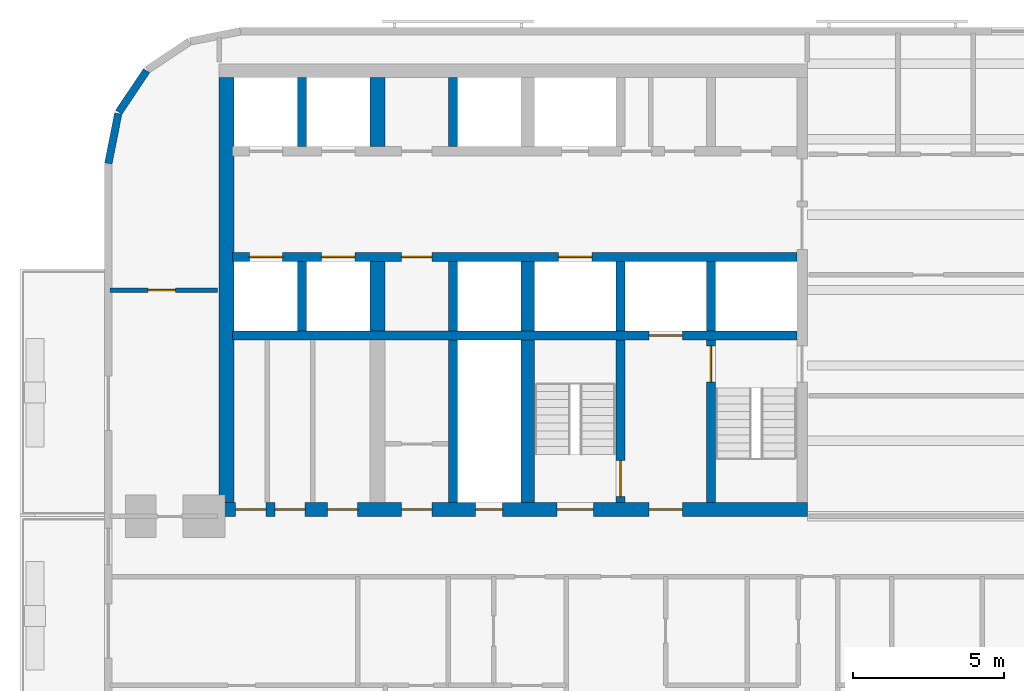
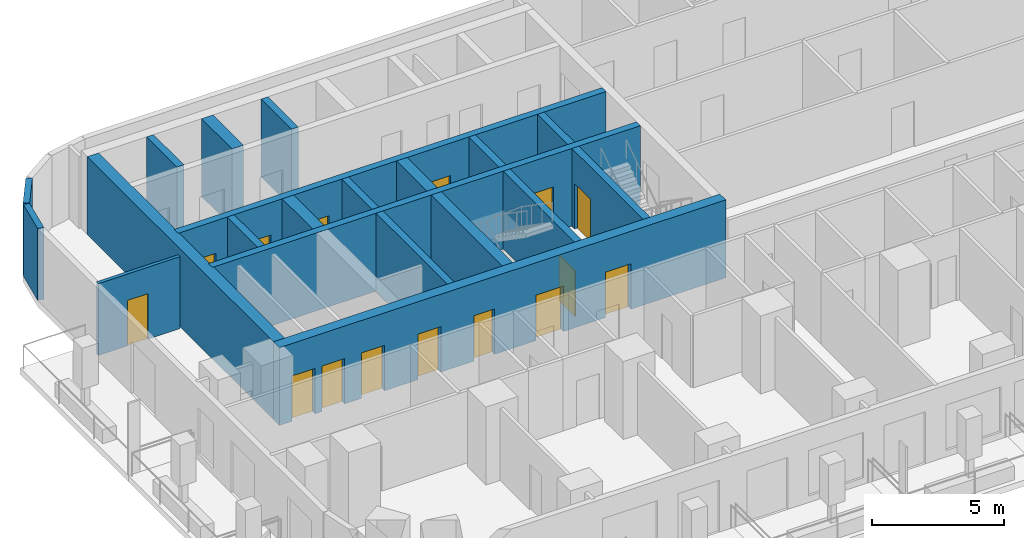
# One storey, part 3 of 15: 20 walls, 15 doors, 15 openings.
"""IFC4 building model written with IfcOpenShell, lengths in metres."""

import ifcopenshell
import ifcopenshell.guid

model = None  # the IFC model being written
_history = None  # IfcOwnerHistory: only IFC2X3 demands one
_inside = {}  # id of a spatial element -> (the spatial element, [elements in it])
_under = {}  # id of a project, library or spatial element -> (it, [spatial elements below it])
_declared = {}  # id of a project -> (the project, [libraries it declares])
_typed = {}  # id of a type object -> (the type object, [elements of that type])
_made_of = {}  # id of a material, layer set ... -> (it, [elements and type objects made of it])


def new_model(schema):
    """Start an empty IFC model of exactly this schema.

    Asked for "IFC4X3", IfcOpenShell would pick the latest addendum, in which some entities
    have other attributes; the version numbers below select the first issue.
    IFC2X3 requires an IfcOwnerHistory on every rooted entity: one is made here for all.
    """
    global model, _history
    if schema == "IFC4X3":
        model = ifcopenshell.file(schema_version=(4, 3, 0, 0))
    else:
        model = ifcopenshell.file(schema=schema)
    _inside.clear()
    _under.clear()
    _declared.clear()
    _typed.clear()
    _made_of.clear()
    _history = None
    if model.schema == "IFC2X3":
        org = make("IfcOrganization", Name="unknown")
        user = make(
            "IfcPersonAndOrganization",
            ThePerson=make("IfcPerson", FamilyName="unknown"),
            TheOrganization=org,
        )
        app = make(
            "IfcApplication",
            ApplicationDeveloper=org,
            Version="unknown",
            ApplicationFullName="unknown",
            ApplicationIdentifier="unknown",
        )
        _history = make(
            "IfcOwnerHistory",
            OwningUser=user,
            OwningApplication=app,
            ChangeAction="ADDED",
            CreationDate=0,
        )
    return model


def make(cls, **values):
    """One entity of the class cls with the attributes given. An attribute that is None is left unset."""
    return model.create_entity(
        cls, **{name: value for name, value in values.items() if value is not None}
    )


def rooted(cls, **values):
    """An entity with a GlobalId (a new one), such as an element, a storey or a relation."""
    return make(cls, GlobalId=ifcopenshell.guid.new(), OwnerHistory=_history, **values)


def si_unit(unit_type, name, prefix=None):
    """IfcSIUnit, for example si_unit("LENGTHUNIT", "METRE", prefix="MILLI")."""
    return make("IfcSIUnit", UnitType=unit_type, Prefix=prefix, Name=name)


def assignment(units):
    """IfcUnitAssignment: the units of a project."""
    return None if units is None else make("IfcUnitAssignment", Units=units)


def point(xyz):
    """IfcCartesianPoint."""
    return None if xyz is None else make("IfcCartesianPoint", Coordinates=xyz)


def direction(xyz):
    """IfcDirection."""
    return None if xyz is None else make("IfcDirection", DirectionRatios=xyz)


def frame(location, z_axis=None, x_axis=None):
    """IfcAxis2Placement3D, a coordinate frame: its origin and axes. An axis left out is left unset."""
    return make(
        "IfcAxis2Placement3D",
        Location=point(location),
        Axis=direction(z_axis),
        RefDirection=direction(x_axis),
    )


def frame_2d(location, x_axis=None):
    """IfcAxis2Placement2D, a coordinate frame in the plane: its origin and x axis."""
    return make(
        "IfcAxis2Placement2D", Location=point(location), RefDirection=direction(x_axis)
    )


def origin():
    """The frame at (0, 0, 0) with its axes left unset."""
    return frame((0.0, 0.0, 0.0))


def place(relative_to, where):
    """IfcLocalPlacement: puts the frame where relative to a parent placement (None: the world)."""
    return make(
        "IfcLocalPlacement", PlacementRelTo=relative_to, RelativePlacement=where
    )


def context(
    kind, dimensions, precision=None, world=None, true_north=None, identifier=None
):
    """IfcGeometricRepresentationContext, for example the 3D "Model" context."""
    return make(
        "IfcGeometricRepresentationContext",
        ContextIdentifier=identifier,
        ContextType=kind,
        CoordinateSpaceDimension=dimensions,
        Precision=precision,
        WorldCoordinateSystem=world,
        TrueNorth=true_north,
    )


def subcontext(parent, identifier, kind, view, scale=None):
    """IfcGeometricRepresentationSubContext, for example "Body" below "Model"."""
    return make(
        "IfcGeometricRepresentationSubContext",
        ContextIdentifier=identifier,
        ContextType=kind,
        ParentContext=parent,
        TargetScale=scale,
        TargetView=view,
    )


def project(units=None, contexts=None):
    """IfcProject with its units and contexts."""
    return rooted(
        "IfcProject",
        Name="project",
        RepresentationContexts=contexts,
        UnitsInContext=assignment(units),
    )


def spatial(cls, under=None, at=None, **own):
    """A site, building, storey or space (cls), placed at a placement, below another one or the project."""
    s = rooted(cls, ObjectPlacement=at, **own)
    if under is not None:
        _under.setdefault(under.id(), (under, []))[1].append(s)
    return s


def profile(cls, at=None, kind="AREA", **sizes):
    """A parametric profile (cls). Its sizes go by their IFC names, for example OverallWidth=200.0."""
    return make(cls, ProfileType=kind, Position=at, **sizes)


def rectangle(**sizes):
    """IfcRectangleProfileDef."""
    return profile("IfcRectangleProfileDef", **sizes)


def extrude(swept, where, along, depth):
    """IfcExtrudedAreaSolid: the profile swept, set in the frame where, extruded along a direction by depth."""
    return make(
        "IfcExtrudedAreaSolid",
        SweptArea=swept,
        Position=where,
        ExtrudedDirection=direction(along),
        Depth=depth,
    )


def shape(context_of_items, identifier, shape_type, items):
    """IfcShapeRepresentation: the items that make up one representation, for example the "Body"."""
    return make(
        "IfcShapeRepresentation",
        ContextOfItems=context_of_items,
        RepresentationIdentifier=identifier,
        RepresentationType=shape_type,
        Items=items,
    )


def material(Name=None, Category=None):
    """IfcMaterial."""
    return make("IfcMaterial", Name=Name, Category=Category)


def layer(
    of_material, thickness, ventilated=None, Name=None, Category=None, Priority=None
):
    """IfcMaterialLayer: one layer of a wall or slab, of a material (None: an air gap)."""
    return make(
        "IfcMaterialLayer",
        Material=of_material,
        LayerThickness=thickness,
        IsVentilated=ventilated,
        Name=Name,
        Category=Category,
        Priority=Priority,
    )


def layer_set(layers, Name=None):
    """IfcMaterialLayerSet."""
    return make("IfcMaterialLayerSet", MaterialLayers=layers, LayerSetName=Name)


def made_of(thing, what):
    """Note that an element or type object is made of a material, layer set ...; save() writes the relation."""
    if what is not None:
        _made_of.setdefault(what.id(), (what, []))[1].append(thing)
    return thing


def type_object(cls, material=None, **own):
    """A type object (cls), such as IfcWallType, which elements share."""
    return made_of(rooted(cls, **own), material)


def element(
    cls,
    number,
    at=None,
    inside=None,
    cuts=None,
    type_object=None,
    material=None,
    context=None,
    identifier="Body",
    shape_type=None,
    held_by="IfcProductDefinitionShape",
    body=None,
    shapes=None,
    **own,
):
    """One element of the class cls, such as IfcWall. Its Tag is "e" and its number.

    at: its placement. inside: the storey or other place that contains it. cuts: it is an
    opening in that element (IfcRelVoidsElement). A single representation is given by context,
    identifier, shape_type and body (its items); several are given by shapes. held_by: the class
    of the entity that holds the representations. save() writes the other relations.
    """
    e = rooted(cls, Tag="e%d" % number, ObjectPlacement=at, **own)
    if body is not None:
        shapes = [shape(context, identifier, shape_type, body)]
    if shapes is not None:
        e.Representation = make(held_by, Representations=shapes)
    if inside is not None:
        _inside.setdefault(inside.id(), (inside, []))[1].append(e)
    if cuts is not None:
        rooted(
            "IfcRelVoidsElement", RelatingBuildingElement=cuts, RelatedOpeningElement=e
        )
    if type_object is not None:
        _typed.setdefault(type_object.id(), (type_object, []))[1].append(e)
    return made_of(e, material)


def fill(opening, filler):
    """IfcRelFillsElement: the door or window that sits in an opening."""
    return rooted(
        "IfcRelFillsElement",
        RelatingOpeningElement=opening,
        RelatedBuildingElement=filler,
    )


def aggregate(whole, parts):
    """IfcRelAggregates: a whole, such as a stair, and the parts it consists of."""
    return rooted("IfcRelAggregates", RelatingObject=whole, RelatedObjects=parts)


def save(model, path):
    """Write the relations noted so far, then the file.

    IfcRelAggregates (storeys below a building ...), IfcRelContainedInSpatialStructure (elements
    in a storey), IfcRelDefinesByType, IfcRelAssociatesMaterial and IfcRelDeclares: one each for
    every whole, place, type object, material and project.
    """
    for whole, parts in _under.values():
        aggregate(whole, parts)
    for where, things in _inside.values():
        rooted(
            "IfcRelContainedInSpatialStructure",
            RelatedElements=things,
            RelatingStructure=where,
        )
    for kind, things in _typed.values():
        rooted("IfcRelDefinesByType", RelatedObjects=things, RelatingType=kind)
    for what, things in _made_of.values():
        rooted("IfcRelAssociatesMaterial", RelatedObjects=things, RelatingMaterial=what)
    for by, libraries in _declared.values():
        rooted("IfcRelDeclares", RelatingContext=by, RelatedDefinitions=libraries)
    model.write(path)


model = new_model("IFC4")

# Units and contexts
model_context = context("Model", 3, precision=1e-05, world=origin(), true_north=direction((0.0, 1.0)))
body_context = subcontext(model_context, "Body", "Model", "MODEL_VIEW")
ifc_project = project(units=[si_unit("LENGTHUNIT", "METRE"), si_unit("AREAUNIT", "SQUARE_METRE"), si_unit("VOLUMEUNIT", "CUBIC_METRE"), si_unit("PLANEANGLEUNIT", "RADIAN"), si_unit("MASSUNIT", "GRAM", prefix="KILO")], contexts=[model_context])

# Site, building, storey
site_placement = place(None, origin())
site = spatial("IfcSite", under=ifc_project, at=site_placement, CompositionType="ELEMENT")
building_placement = place(site_placement, origin())
building = spatial("IfcBuilding", under=site, at=building_placement, Name="Torana Hotel and Residences", CompositionType="ELEMENT")
storey_placement = place(building_placement, frame((0.0, 0.0, 88.800048828125)))
storey = spatial("IfcBuildingStorey", under=building, at=storey_placement, Name="L22", CompositionType="ELEMENT", Elevation=88.800048828125)

# Wall, openings, doors
ifc_material_1 = material(Name="Concrete C80/95", Category="concrete")
ifc_layer_1 = layer(ifc_material_1, 0.300048828125)
ifc_layer_set_1 = layer_set([ifc_layer_1], Name="CORE WALL 300 C80/95")
wall_type_1 = type_object("IfcWallType", Name="CORE WALL 300 C80/95", PredefinedType="SHEAR", material=ifc_layer_set_1)
wall_1_placement = place(storey_placement, frame((-29.050048828125, -6.39990234375, 0.0), z_axis=(0.0, 0.0, 1.0), x_axis=(1.0, 0.0, 0.0)))
wall_1 = element("IfcWall", 1, at=wall_1_placement, inside=storey, type_object=wall_type_1, Name="Core wall W row-S", PredefinedType="SHEAR", context=body_context, shape_type="SweptSolid", body=[
    extrude(rectangle(XDim=18.699951171875, YDim=0.300048828125, at=frame_2d((9.35009765625, 0.0))), origin(), (0.0, 0.0, 1.0), 3.599853515625),
])
opening_1_placement = place(wall_1_placement, frame((2.949951171875, 0.0, 0.0)))
opening_1 = element("IfcOpeningElement", 2, at=opening_1_placement, cuts=wall_1, Name="Opening LD", PredefinedType="OPENING", context=body_context, shape_type="SweptSolid", body=[
    extrude(rectangle(XDim=1.10009765625, YDim=2.10009765625, at=frame_2d((0.550048828125, 1.050048828125))), frame((0.0, 0.159912109375, 0.0), z_axis=(0.0, -1.0, 0.0), x_axis=(1.0, 0.0, 0.0)), (0.0, 0.0, 1.0), 0.320068359375),
])
opening_2_placement = place(wall_1_placement, frame((0.550048828125, 0.0, 0.0)))
opening_2 = element("IfcOpeningElement", 3, at=opening_2_placement, cuts=wall_1, Name="Opening LD", PredefinedType="OPENING", context=body_context, shape_type="SweptSolid", body=[
    extrude(rectangle(XDim=1.10009765625, YDim=2.10009765625, at=frame_2d((0.550048828125, 1.050048828125))), frame((0.0, 0.159912109375, 0.0), z_axis=(0.0, -1.0, 0.0), x_axis=(1.0, 0.0, 0.0)), (0.0, 0.0, 1.0), 0.320068359375),
])
opening_3_placement = place(wall_1_placement, frame((10.800048828125, 0.0, 0.0)))
opening_3 = element("IfcOpeningElement", 4, at=opening_3_placement, cuts=wall_1, Name="Opening LD", PredefinedType="OPENING", context=body_context, shape_type="SweptSolid", body=[
    extrude(rectangle(XDim=1.10009765625, YDim=2.10009765625, at=frame_2d((0.550048828125, 1.050048828125))), frame((0.0, 0.159912109375, 0.0), z_axis=(0.0, -1.0, 0.0), x_axis=(1.0, 0.0, 0.0)), (0.0, 0.0, 1.0), 0.320068359375),
])
opening_4_placement = place(wall_1_placement, frame((5.60009765625, 0.0, 0.0)))
opening_4 = element("IfcOpeningElement", 5, at=opening_4_placement, cuts=wall_1, Name="Opening L22-16", PredefinedType="OPENING", context=body_context, shape_type="SweptSolid", body=[
    extrude(rectangle(XDim=1.0, YDim=2.10009765625, at=frame_2d((0.5, 1.050048828125))), frame((0.0, 0.159912109375, 0.0), z_axis=(0.0, -1.0, 0.0), x_axis=(1.0, 0.0, 0.0)), (0.0, 0.0, 1.0), 0.320068359375),
])
ifc_material_2 = material(Name="Steel S235", Category="steel")
door_type_1 = type_object("IfcDoorType", Name="CORE ROOM FIRE DOOR D14 1000x2100", OperationType="SINGLE_SWING_LEFT", PredefinedType="DOOR", material=ifc_material_2)
door_1_placement = place(opening_4_placement, frame((0.5, 0.0, 0.0), z_axis=(0.0, 0.0, 1.0), x_axis=(-1.0, 0.0, 0.0)))
door_1 = element("IfcDoor", 6, at=door_1_placement, inside=storey, type_object=door_type_1, Name="Free-M2 door L22", OperationType="SINGLE_SWING_LEFT", OverallHeight=2.10009765625, OverallWidth=1.0, PredefinedType="DOOR", context=body_context, shape_type="SweptSolid", body=[
    extrude(rectangle(XDim=1.0, YDim=2.10009765625, at=frame_2d((0.0, 1.050048828125))), frame((0.0, -0.02490234375, 0.0), z_axis=(0.0, 1.0, 0.0), x_axis=(-1.0, 0.0, 0.0)), (0.0, 0.0, 1.0), 0.050048828125),
])
fill(opening_4, door_1)
ifc_material_3 = material(Name="Stainless steel 316", Category="steel")
door_type_2 = type_object("IfcDoorType", Name="LIFT LANDING DOOR LD 1100x2100", OperationType="DOUBLE_DOOR_SLIDING", PredefinedType="USERDEFINED", material=ifc_material_3)
door_2_placement = place(opening_1_placement, origin())
door_2 = element("IfcDoor", 7, at=door_2_placement, inside=storey, type_object=door_type_2, Name="Lift landing door L3 L22", ObjectType="LIFT LANDING DOOR", OperationType="DOUBLE_DOOR_SLIDING", OverallHeight=2.10009765625, OverallWidth=1.10009765625, PredefinedType="USERDEFINED", context=body_context, shape_type="SweptSolid", body=[
    extrude(rectangle(XDim=1.10009765625, YDim=2.10009765625, at=frame_2d((0.550048828125, 1.050048828125))), frame((0.0, 0.02490234375, 0.0), z_axis=(0.0, -1.0, 0.0), x_axis=(1.0, 0.0, 0.0)), (0.0, 0.0, 1.0), 0.050048828125),
])
fill(opening_1, door_2)
door_3_placement = place(opening_2_placement, origin())
door_3 = element("IfcDoor", 8, at=door_3_placement, inside=storey, type_object=door_type_2, Name="Lift landing door L4 L22", ObjectType="LIFT LANDING DOOR", OperationType="DOUBLE_DOOR_SLIDING", OverallHeight=2.10009765625, OverallWidth=1.10009765625, PredefinedType="USERDEFINED", context=body_context, shape_type="SweptSolid", body=[
    extrude(rectangle(XDim=1.10009765625, YDim=2.10009765625, at=frame_2d((0.550048828125, 1.050048828125))), frame((0.0, 0.02490234375, 0.0), z_axis=(0.0, -1.0, 0.0), x_axis=(1.0, 0.0, 0.0)), (0.0, 0.0, 1.0), 0.050048828125),
])
fill(opening_2, door_3)
door_4_placement = place(opening_3_placement, origin())
door_4 = element("IfcDoor", 9, at=door_4_placement, inside=storey, type_object=door_type_2, Name="Lift landing door SV1 L22", ObjectType="LIFT LANDING DOOR", OperationType="DOUBLE_DOOR_SLIDING", OverallHeight=2.10009765625, OverallWidth=1.10009765625, PredefinedType="USERDEFINED", context=body_context, shape_type="SweptSolid", body=[
    extrude(rectangle(XDim=1.10009765625, YDim=2.10009765625, at=frame_2d((0.550048828125, 1.050048828125))), frame((0.0, 0.02490234375, 0.0), z_axis=(0.0, -1.0, 0.0), x_axis=(1.0, 0.0, 0.0)), (0.0, 0.0, 1.0), 0.050048828125),
])
fill(opening_3, door_4)

# Wall, opening, door
wall_2_placement = place(storey_placement, frame((-29.050048828125, -9.0, 0.0), z_axis=(0.0, 0.0, 1.0), x_axis=(1.0, 0.0, 0.0)))
wall_2 = element("IfcWall", 10, at=wall_2_placement, inside=storey, type_object=wall_type_1, Name="Core wall W band", PredefinedType="SHEAR", context=body_context, shape_type="SweptSolid", body=[
    extrude(rectangle(XDim=18.699951171875, YDim=0.300048828125, at=frame_2d((9.35009765625, 0.0))), origin(), (0.0, 0.0, 1.0), 3.599853515625),
])
opening_5_placement = place(wall_2_placement, frame((13.800048828125, 0.0, 0.0)))
opening_5 = element("IfcOpeningElement", 11, at=opening_5_placement, cuts=wall_2, Name="Opening LD", PredefinedType="OPENING", context=body_context, shape_type="SweptSolid", body=[
    extrude(rectangle(XDim=1.10009765625, YDim=2.10009765625, at=frame_2d((0.550048828125, 1.050048828125))), frame((0.0, 0.159912109375, 0.0), z_axis=(0.0, -1.0, 0.0), x_axis=(1.0, 0.0, 0.0)), (0.0, 0.0, 1.0), 0.320068359375),
])
door_5_placement = place(opening_5_placement, origin())
door_5 = element("IfcDoor", 12, at=door_5_placement, inside=storey, type_object=door_type_2, Name="Lift landing door FF1 L22", ObjectType="LIFT LANDING DOOR", OperationType="DOUBLE_DOOR_SLIDING", OverallHeight=2.10009765625, OverallWidth=1.10009765625, PredefinedType="USERDEFINED", context=body_context, shape_type="SweptSolid", body=[
    extrude(rectangle(XDim=1.10009765625, YDim=2.10009765625, at=frame_2d((0.550048828125, 1.050048828125))), frame((0.0, 0.02490234375, 0.0), z_axis=(0.0, -1.0, 0.0), x_axis=(1.0, 0.0, 0.0)), (0.0, 0.0, 1.0), 0.050048828125),
])
fill(opening_5, door_5)

# Wall
wall_3_placement = place(storey_placement, frame((-13.199951171875, -8.85009765625, 0.0), z_axis=(0.0, 0.0, 1.0), x_axis=(0.0, 1.0, 0.0)))
element("IfcWall", 13, at=wall_3_placement, inside=storey, type_object=wall_type_1, Name="Core wall W x3.05-S", PredefinedType="SHEAR", context=body_context, shape_type="SweptSolid", body=[
    extrude(rectangle(XDim=2.300048828125, YDim=0.300048828125, at=frame_2d((1.14990234375, 0.0))), origin(), (0.0, 0.0, 1.0), 3.599853515625),
])

# Wall, opening, door
wall_4_placement = place(storey_placement, frame((-13.199951171875, -14.550048828125, 0.0), z_axis=(0.0, 0.0, 1.0), x_axis=(0.0, 1.0, 0.0)))
wall_4 = element("IfcWall", 14, at=wall_4_placement, inside=storey, type_object=wall_type_1, Name="Core wall W x3.05-band", PredefinedType="SHEAR", context=body_context, shape_type="SweptSolid", body=[
    extrude(rectangle(XDim=5.400146484375, YDim=0.300048828125, at=frame_2d((2.7001953125, 0.0))), origin(), (0.0, 0.0, 1.0), 3.599853515625),
])
opening_6_placement = place(wall_4_placement, frame((4.0, 0.0, 0.0)))
opening_6 = element("IfcOpeningElement", 15, at=opening_6_placement, cuts=wall_4, Name="Opening L22-17", PredefinedType="OPENING", context=body_context, shape_type="SweptSolid", body=[
    extrude(rectangle(XDim=1.199951171875, YDim=2.10009765625, at=frame_2d((0.60009765625, 1.050048828125))), frame((0.0, 0.159912109375, 0.0), z_axis=(0.0, -1.0, 0.0), x_axis=(1.0, 0.0, 0.0)), (0.0, 0.0, 1.0), 0.320068359375),
])
ifc_material_4 = material(Name="Steel S235", Category="steel")
door_type_3 = type_object("IfcDoorType", Name="STAIR FIRE DOOR D3 1200x2100", OperationType="SINGLE_SWING_LEFT", PredefinedType="DOOR", material=ifc_material_4)
door_6_placement = place(opening_6_placement, frame((0.60009765625, 0.0, 0.0), z_axis=(0.0, 0.0, 1.0), x_axis=(-1.0, 0.0, 0.0)))
door_6 = element("IfcDoor", 16, at=door_6_placement, inside=storey, type_object=door_type_3, Name="Stair-A-lobby door L22", OperationType="SINGLE_SWING_RIGHT", OverallHeight=2.10009765625, OverallWidth=1.199951171875, PredefinedType="DOOR", context=body_context, shape_type="SweptSolid", body=[
    extrude(rectangle(XDim=1.199951171875, YDim=2.10009765625, at=frame_2d((0.0, 1.050048828125))), frame((0.0, -0.02490234375, 0.0), z_axis=(0.0, 1.0, 0.0), x_axis=(-1.0, 0.0, 0.0)), (0.0, 0.0, 1.0), 0.050048828125),
])
fill(opening_6, door_6)

# Wall
wall_5_placement = place(storey_placement, frame((-16.199951171875, -8.85009765625, 0.0), z_axis=(0.0, 0.0, 1.0), x_axis=(0.0, 1.0, 0.0)))
element("IfcWall", 17, at=wall_5_placement, inside=storey, type_object=wall_type_1, Name="Core wall W x6.05-S", PredefinedType="SHEAR", context=body_context, shape_type="SweptSolid", body=[
    extrude(rectangle(XDim=2.300048828125, YDim=0.300048828125, at=frame_2d((1.14990234375, 0.0))), origin(), (0.0, 0.0, 1.0), 3.599853515625),
])

# Wall, opening, door
wall_6_placement = place(storey_placement, frame((-16.199951171875, -14.550048828125, 0.0), z_axis=(0.0, 0.0, 1.0), x_axis=(0.0, 1.0, 0.0)))
wall_6 = element("IfcWall", 18, at=wall_6_placement, inside=storey, type_object=wall_type_1, Name="Core wall W x6.05-band", PredefinedType="SHEAR", context=body_context, shape_type="SweptSolid", body=[
    extrude(rectangle(XDim=5.400146484375, YDim=0.300048828125, at=frame_2d((2.7001953125, 0.0))), origin(), (0.0, 0.0, 1.0), 3.599853515625),
])
opening_7_placement = place(wall_6_placement, frame((0.199951171875, 0.0, 0.0)))
opening_7 = element("IfcOpeningElement", 19, at=opening_7_placement, cuts=wall_6, Name="Opening L22-18", PredefinedType="OPENING", context=body_context, shape_type="SweptSolid", body=[
    extrude(rectangle(XDim=1.199951171875, YDim=2.10009765625, at=frame_2d((0.60009765625, 1.050048828125))), frame((0.0, 0.159912109375, 0.0), z_axis=(0.0, -1.0, 0.0), x_axis=(1.0, 0.0, 0.0)), (0.0, 0.0, 1.0), 0.320068359375),
])
door_7_placement = place(opening_7_placement, origin())
door_7 = element("IfcDoor", 20, at=door_7_placement, inside=storey, type_object=door_type_3, Name="Stair-B-lobby door L22", OperationType="SINGLE_SWING_RIGHT", OverallHeight=2.10009765625, OverallWidth=1.199951171875, PredefinedType="DOOR", context=body_context, shape_type="SweptSolid", body=[
    extrude(rectangle(XDim=1.199951171875, YDim=2.10009765625, at=frame_2d((0.60009765625, 1.050048828125))), frame((0.0, 0.02490234375, 0.0), z_axis=(0.0, -1.0, 0.0), x_axis=(1.0, 0.0, 0.0)), (0.0, 0.0, 1.0), 0.050048828125),
])
fill(opening_7, door_7)

# Walls
for number, where, z_axis, x_axis, name in (
    (21, (-21.75, -2.75, 0.0), (0.0, 0.0, 1.0), (0.0, 1.0, 0.0), "Core wall W mm-N"),
    (22, (-21.75, -8.85009765625, 0.0), (0.0, 0.0, 1.0), (0.0, 1.0, 0.0), "Core wall W mm-S"),
):
    element("IfcWall", number, at=place(storey_placement, frame(where, z_axis=z_axis, x_axis=x_axis)), inside=storey, type_object=wall_type_1, Name=name, PredefinedType="SHEAR", context=body_context, shape_type="SweptSolid", body=[
        extrude(rectangle(XDim=2.300048828125, YDim=0.300048828125, at=frame_2d((1.14990234375, 0.0))), origin(), (0.0, 0.0, 1.0), 3.599853515625),
    ])
wall_7_placement = place(storey_placement, frame((-21.75, -14.550048828125, 0.0), z_axis=(0.0, 0.0, 1.0), x_axis=(0.0, 1.0, 0.0)))
element("IfcWall", 23, at=wall_7_placement, inside=storey, type_object=wall_type_1, Name="Core wall W mm-band", PredefinedType="SHEAR", context=body_context, shape_type="SweptSolid", body=[
    extrude(rectangle(XDim=5.400146484375, YDim=0.300048828125, at=frame_2d((2.7001953125, 0.0))), origin(), (0.0, 0.0, 1.0), 3.599853515625),
])
for number, where, z_axis, x_axis, name in (
    (24, (-26.75, -2.75, 0.0), (0.0, 0.0, 1.0), (0.0, 1.0, 0.0), "Core wall W ll-N"),
    (25, (-26.75, -8.85009765625, 0.0), (0.0, 0.0, 1.0), (0.0, 1.0, 0.0), "Core wall W ll-S"),
):
    element("IfcWall", number, at=place(storey_placement, frame(where, z_axis=z_axis, x_axis=x_axis)), inside=storey, type_object=wall_type_1, Name=name, PredefinedType="SHEAR", context=body_context, shape_type="SweptSolid", body=[
        extrude(rectangle(XDim=2.300048828125, YDim=0.300048828125, at=frame_2d((1.14990234375, 0.0))), origin(), (0.0, 0.0, 1.0), 3.599853515625),
    ])

# Wall, openings, doors
ifc_material_5 = material(Name="Concrete C80/95", Category="concrete")
ifc_layer_2 = layer(ifc_material_5, 0.449951171875)
ifc_layer_set_2 = layer_set([ifc_layer_2], Name="CORE WALL 450 C80/95")
wall_type_2 = type_object("IfcWallType", Name="CORE WALL 450 C80/95", PredefinedType="SHEAR", material=ifc_layer_set_2)
wall_8_placement = place(storey_placement, frame((-29.5, -14.77490234375, 0.0), z_axis=(0.0, 0.0, 1.0), x_axis=(1.0, 0.0, 0.0)))
wall_8 = element("IfcWall", 26, at=wall_8_placement, inside=storey, type_object=wall_type_2, Name="Core wall W front", PredefinedType="SHEAR", context=body_context, shape_type="SweptSolid", body=[
    extrude(rectangle(XDim=19.5, YDim=0.449951171875, at=frame_2d((9.75, 0.0))), origin(), (0.0, 0.0, 1.0), 3.599853515625),
])
opening_8_placement = place(wall_8_placement, frame((11.199951171875, 0.0, 0.0)))
opening_8 = element("IfcOpeningElement", 27, at=opening_8_placement, cuts=wall_8, Name="Opening L22-04", PredefinedType="OPENING", context=body_context, shape_type="SweptSolid", body=[
    extrude(rectangle(XDim=1.199951171875, YDim=2.10009765625, at=frame_2d((0.60009765625, 1.050048828125))), frame((0.0, 0.23486328125, 0.0), z_axis=(0.0, -1.0, 0.0), x_axis=(1.0, 0.0, 0.0)), (0.0, 0.0, 1.0), 0.469970703125),
])
opening_9_placement = place(wall_8_placement, frame((14.25, 0.0, 0.0)))
opening_9 = element("IfcOpeningElement", 28, at=opening_9_placement, cuts=wall_8, Name="Opening L22-05", PredefinedType="OPENING", context=body_context, shape_type="SweptSolid", body=[
    extrude(rectangle(XDim=1.10009765625, YDim=2.10009765625, at=frame_2d((0.550048828125, 1.050048828125))), frame((0.0, 0.23486328125, 0.0), z_axis=(0.0, -1.0, 0.0), x_axis=(1.0, 0.0, 0.0)), (0.0, 0.0, 1.0), 0.469970703125),
])
opening_10_placement = place(wall_8_placement, frame((8.5, 0.0, 0.0)))
opening_10 = element("IfcOpeningElement", 29, at=opening_10_placement, cuts=wall_8, Name="Opening L22-06", PredefinedType="OPENING", context=body_context, shape_type="SweptSolid", body=[
    extrude(rectangle(XDim=0.89990234375, YDim=2.10009765625, at=frame_2d((0.449951171875, 1.050048828125))), frame((0.0, 0.23486328125, 0.0), z_axis=(0.0, -1.0, 0.0), x_axis=(1.0, 0.0, 0.0)), (0.0, 0.0, 1.0), 0.469970703125),
])
opening_11_placement = place(wall_8_placement, frame((6.050048828125, 0.0, 0.0)))
opening_11 = element("IfcOpeningElement", 30, at=opening_11_placement, cuts=wall_8, Name="Opening L22-07", PredefinedType="OPENING", context=body_context, shape_type="SweptSolid", body=[
    extrude(rectangle(XDim=1.0, YDim=2.10009765625, at=frame_2d((0.5, 1.050048828125))), frame((0.0, 0.23486328125, 0.0), z_axis=(0.0, -1.0, 0.0), x_axis=(1.0, 0.0, 0.0)), (0.0, 0.0, 1.0), 0.469970703125),
])
opening_12_placement = place(wall_8_placement, frame((3.58740234375, 0.0, 0.0)))
opening_12 = element("IfcOpeningElement", 31, at=opening_12_placement, cuts=wall_8, Name="Opening L22-08", PredefinedType="OPENING", context=body_context, shape_type="SweptSolid", body=[
    extrude(rectangle(XDim=1.0, YDim=2.10009765625, at=frame_2d((0.5, 1.050048828125))), frame((0.0, 0.23486328125, 0.0), z_axis=(0.0, -1.0, 0.0), x_axis=(1.0, 0.0, 0.0)), (0.0, 0.0, 1.0), 0.469970703125),
])
opening_13_placement = place(wall_8_placement, frame((1.85009765625, 0.0, 0.0)))
opening_13 = element("IfcOpeningElement", 32, at=opening_13_placement, cuts=wall_8, Name="Opening L22-09", PredefinedType="OPENING", context=body_context, shape_type="SweptSolid", body=[
    extrude(rectangle(XDim=1.0, YDim=2.10009765625, at=frame_2d((0.5, 1.050048828125))), frame((0.0, 0.23486328125, 0.0), z_axis=(0.0, -1.0, 0.0), x_axis=(1.0, 0.0, 0.0)), (0.0, 0.0, 1.0), 0.469970703125),
])
opening_14_placement = place(wall_8_placement, frame((0.550048828125, 0.0, 0.0)))
opening_14 = element("IfcOpeningElement", 33, at=opening_14_placement, cuts=wall_8, Name="Opening L22-10", PredefinedType="OPENING", context=body_context, shape_type="SweptSolid", body=[
    extrude(rectangle(XDim=1.0, YDim=2.10009765625, at=frame_2d((0.5, 1.050048828125))), frame((0.0, 0.23486328125, 0.0), z_axis=(0.0, -1.0, 0.0), x_axis=(1.0, 0.0, 0.0)), (0.0, 0.0, 1.0), 0.469970703125),
])
door_8_placement = place(opening_11_placement, origin())
door_8 = element("IfcDoor", 34, at=door_8_placement, inside=storey, type_object=door_type_1, Name="M-Room-B door L22", OperationType="SINGLE_SWING_RIGHT", OverallHeight=2.10009765625, OverallWidth=1.0, PredefinedType="DOOR", context=body_context, shape_type="SweptSolid", body=[
    extrude(rectangle(XDim=1.0, YDim=2.10009765625, at=frame_2d((0.5, 1.050048828125))), frame((0.0, 0.02490234375, 0.0), z_axis=(0.0, -1.0, 0.0), x_axis=(1.0, 0.0, 0.0)), (0.0, 0.0, 1.0), 0.050048828125),
])
fill(opening_11, door_8)
door_9_placement = place(opening_12_placement, origin())
door_9 = element("IfcDoor", 35, at=door_9_placement, inside=storey, type_object=door_type_1, Name="L-A door L22", OperationType="SINGLE_SWING_RIGHT", OverallHeight=2.10009765625, OverallWidth=1.0, PredefinedType="DOOR", context=body_context, shape_type="SweptSolid", body=[
    extrude(rectangle(XDim=1.0, YDim=2.10009765625, at=frame_2d((0.5, 1.050048828125))), frame((0.0, 0.02490234375, 0.0), z_axis=(0.0, -1.0, 0.0), x_axis=(1.0, 0.0, 0.0)), (0.0, 0.0, 1.0), 0.050048828125),
])
fill(opening_12, door_9)
door_10_placement = place(opening_13_placement, origin())
door_10 = element("IfcDoor", 36, at=door_10_placement, inside=storey, type_object=door_type_1, Name="L-B door L22", OperationType="SINGLE_SWING_RIGHT", OverallHeight=2.10009765625, OverallWidth=1.0, PredefinedType="DOOR", context=body_context, shape_type="SweptSolid", body=[
    extrude(rectangle(XDim=1.0, YDim=2.10009765625, at=frame_2d((0.5, 1.050048828125))), frame((0.0, 0.02490234375, 0.0), z_axis=(0.0, -1.0, 0.0), x_axis=(1.0, 0.0, 0.0)), (0.0, 0.0, 1.0), 0.050048828125),
])
fill(opening_13, door_10)
door_11_placement = place(opening_14_placement, origin())
door_11 = element("IfcDoor", 37, at=door_11_placement, inside=storey, type_object=door_type_1, Name="L-C door L22", OperationType="SINGLE_SWING_RIGHT", OverallHeight=2.10009765625, OverallWidth=1.0, PredefinedType="DOOR", context=body_context, shape_type="SweptSolid", body=[
    extrude(rectangle(XDim=1.0, YDim=2.10009765625, at=frame_2d((0.5, 1.050048828125))), frame((0.0, 0.02490234375, 0.0), z_axis=(0.0, -1.0, 0.0), x_axis=(1.0, 0.0, 0.0)), (0.0, 0.0, 1.0), 0.050048828125),
])
fill(opening_14, door_11)
ifc_material_6 = material(Name="Steel S235", Category="steel")
door_type_4 = type_object("IfcDoorType", Name="FIRE-FIGHTING LOBBY DOOR D8 1100x2100", OperationType="SINGLE_SWING_LEFT", PredefinedType="DOOR", material=ifc_material_6)
door_12_placement = place(opening_9_placement, origin())
door_12 = element("IfcDoor", 38, at=door_12_placement, inside=storey, type_object=door_type_4, Name="FF-lobby door L22", OperationType="SINGLE_SWING_RIGHT", OverallHeight=2.10009765625, OverallWidth=1.10009765625, PredefinedType="DOOR", context=body_context, shape_type="SweptSolid", body=[
    extrude(rectangle(XDim=1.10009765625, YDim=2.10009765625, at=frame_2d((0.550048828125, 1.050048828125))), frame((0.0, 0.02490234375, 0.0), z_axis=(0.0, -1.0, 0.0), x_axis=(1.0, 0.0, 0.0)), (0.0, 0.0, 1.0), 0.050048828125),
])
fill(opening_9, door_12)
ifc_material_7 = material(Name="Steel S235", Category="steel")
door_type_5 = type_object("IfcDoorType", Name="RISER ACCESS DOOR D5 900x2100", OperationType="SINGLE_SWING_LEFT", PredefinedType="DOOR", material=ifc_material_7)
door_13_placement = place(opening_10_placement, origin())
door_13 = element("IfcDoor", 39, at=door_13_placement, inside=storey, type_object=door_type_5, Name="M-Riser door L22", OperationType="SINGLE_SWING_RIGHT", OverallHeight=2.10009765625, OverallWidth=0.89990234375, PredefinedType="DOOR", context=body_context, shape_type="SweptSolid", body=[
    extrude(rectangle(XDim=0.89990234375, YDim=2.10009765625, at=frame_2d((0.449951171875, 1.050048828125))), frame((0.0, 0.02490234375, 0.0), z_axis=(0.0, -1.0, 0.0), x_axis=(1.0, 0.0, 0.0)), (0.0, 0.0, 1.0), 0.050048828125),
])
fill(opening_10, door_13)
door_14_placement = place(opening_8_placement, origin())
door_14 = element("IfcDoor", 40, at=door_14_placement, inside=storey, type_object=door_type_3, Name="Stair-B door L22", OperationType="SINGLE_SWING_RIGHT", OverallHeight=2.10009765625, OverallWidth=1.199951171875, PredefinedType="DOOR", context=body_context, shape_type="SweptSolid", body=[
    extrude(rectangle(XDim=1.199951171875, YDim=2.10009765625, at=frame_2d((0.60009765625, 1.050048828125))), frame((0.0, 0.02490234375, 0.0), z_axis=(0.0, -1.0, 0.0), x_axis=(1.0, 0.0, 0.0)), (0.0, 0.0, 1.0), 0.050048828125),
])
fill(opening_8, door_14)

# Walls
wall_9_placement = place(storey_placement, frame((-19.27490234375, -8.85009765625, 0.0), z_axis=(0.0, 0.0, 1.0), x_axis=(0.0, 1.0, 0.0)))
element("IfcWall", 41, at=wall_9_placement, inside=storey, type_object=wall_type_2, Name="Core wall W hm-S", PredefinedType="SHEAR", context=body_context, shape_type="SweptSolid", body=[
    extrude(rectangle(XDim=2.300048828125, YDim=0.449951171875, at=frame_2d((1.14990234375, 0.0))), origin(), (0.0, 0.0, 1.0), 3.599853515625),
])
wall_10_placement = place(storey_placement, frame((-19.27490234375, -14.550048828125, 0.0), z_axis=(0.0, 0.0, 1.0), x_axis=(0.0, 1.0, 0.0)))
element("IfcWall", 42, at=wall_10_placement, inside=storey, type_object=wall_type_2, Name="Core wall W hm-band", PredefinedType="SHEAR", context=body_context, shape_type="SweptSolid", body=[
    extrude(rectangle(XDim=5.400146484375, YDim=0.449951171875, at=frame_2d((2.7001953125, 0.0))), origin(), (0.0, 0.0, 1.0), 3.599853515625),
])
ifc_material_8 = material(Name="Concrete C80/95", Category="concrete")
ifc_layer_3 = layer(ifc_material_8, 0.5)
ifc_layer_set_3 = layer_set([ifc_layer_3], Name="CORE WALL 500 C80/95")
wall_type_3 = type_object("IfcWallType", Name="CORE WALL 500 C80/95", PredefinedType="SHEAR", material=ifc_layer_set_3)
wall_11_placement = place(storey_placement, frame((-29.25, -14.550048828125, 0.0), z_axis=(0.0, 0.0, 1.0), x_axis=(0.0, 1.0, 0.0)))
element("IfcWall", 43, at=wall_11_placement, inside=storey, type_object=wall_type_3, Name="Core wall W outer", PredefinedType="SHEAR", context=body_context, shape_type="SweptSolid", body=[
    extrude(rectangle(XDim=14.10009765625, YDim=0.5, at=frame_2d((7.050048828125, 0.0))), origin(), (0.0, 0.0, 1.0), 3.599853515625),
])
for number, where, z_axis, x_axis, name in (
    (44, (-24.25, -2.75, 0.0), (0.0, 0.0, 1.0), (0.0, 1.0, 0.0), "Core wall W ml-N"),
    (45, (-24.25, -8.85009765625, 0.0), (0.0, 0.0, 1.0), (0.0, 1.0, 0.0), "Core wall W ml-S"),
):
    element("IfcWall", number, at=place(storey_placement, frame(where, z_axis=z_axis, x_axis=x_axis)), inside=storey, type_object=wall_type_3, Name=name, PredefinedType="SHEAR", context=body_context, shape_type="SweptSolid", body=[
        extrude(rectangle(XDim=2.300048828125, YDim=0.5, at=frame_2d((1.14990234375, 0.0))), origin(), (0.0, 0.0, 1.0), 3.599853515625),
    ])
ifc_material_9 = material(Name="Black aluminium composite panel", Category="aluminium")
ifc_layer_4 = layer(ifc_material_9, 0.00390625, Name="Cladding", Category="cladding")
ifc_material_10 = material(Name="Ventilated air cavity")
ifc_layer_5 = layer(ifc_material_10, 0.0400390625, Name="Ventilated cavity", Category="cavity")
ifc_material_11 = material(Name="Mineral wool insulation")
ifc_layer_6 = layer(ifc_material_11, 0.090087890625, Name="Insulation", Category="insulation")
ifc_material_12 = material(Name="Steel S280GD", Category="steel")
ifc_layer_7 = layer(ifc_material_12, 0.092041015625, Name="Steel stud frame", Category="structure")
ifc_material_13 = material(Name="Fire rated plasterboard")
ifc_layer_8 = layer(ifc_material_13, 0.011962890625, Name="Inner board", Category="finish")
ifc_layer_9 = layer(ifc_material_13, 0.011962890625, Name="Second board", Category="finish")
ifc_layer_set_4 = layer_set([ifc_layer_4, ifc_layer_5, ifc_layer_6, ifc_layer_7, ifc_layer_8, ifc_layer_9], Name="EW1 EXTERNAL WALL BLACK METAL CLAD 250")
wall_type_4 = type_object("IfcWallType", Name="EW1 EXTERNAL WALL BLACK METAL CLAD 250", PredefinedType="SOLIDWALL", material=ifc_layer_set_4)
wall_12_placement = place(storey_placement, frame((-31.90576171875, -0.228759765625, 0.0), z_axis=(0.0, 0.0, 1.0), x_axis=(-0.55555029066, -0.831482937015, 0.0)))
element("IfcWall", 46, at=wall_12_placement, inside=storey, type_object=wall_type_4, Name="External wall L22 e0.7", PredefinedType="SOLIDWALL", context=body_context, shape_type="SweptSolid", body=[
    extrude(rectangle(XDim=1.65625, YDim=0.25, at=frame_2d((0.828125, 0.0))), origin(), (0.0, 0.0, 1.0), 3.320068359375),
])
wall_13_placement = place(storey_placement, frame((-32.844482421875, -1.651123046875, 0.0), z_axis=(0.0, 0.0, 1.0), x_axis=(-0.19513878023, -0.980775640221, 0.0)))
element("IfcWall", 47, at=wall_13_placement, inside=storey, type_object=wall_type_4, Name="External wall L22 e0.8", PredefinedType="SOLIDWALL", context=body_context, shape_type="SweptSolid", body=[
    extrude(rectangle(XDim=1.681396484375, YDim=0.25, at=frame_2d((0.8408203125, 0.0))), origin(), (0.0, 0.0, 1.0), 3.320068359375),
])

# Wall, opening, door
ifc_material_14 = material(Name="Ceramic tile on adhesive")
ifc_layer_10 = layer(ifc_material_14, 0.010009765625, Name="Wall tile", Category="finish")
ifc_material_15 = material(Name="Cement render")
ifc_layer_11 = layer(ifc_material_15, 0.010009765625, Name="Render", Category="finish")
ifc_material_16 = material(Name="Concrete blockwork", Category="masonry")
ifc_layer_12 = layer(ifc_material_16, 0.110107421875, Name="Blockwork", Category="structure")
ifc_layer_13 = layer(ifc_material_15, 0.010009765625, Name="Render", Category="finish")
ifc_layer_14 = layer(ifc_material_14, 0.010009765625, Name="Wall tile", Category="finish")
ifc_layer_set_5 = layer_set([ifc_layer_10, ifc_layer_11, ifc_layer_12, ifc_layer_13, ifc_layer_14], Name="WC PARTITION 150")
wall_type_5 = type_object("IfcWallType", Name="WC PARTITION 150", PredefinedType="PLUMBINGWALL", material=ifc_layer_set_5)
wall_14_placement = place(storey_placement, frame((-33.1201171875, -7.5, 0.0), z_axis=(0.0, 0.0, 1.0), x_axis=(1.0, 0.0, 0.0)))
wall_14 = element("IfcWall", 48, at=wall_14_placement, inside=storey, type_object=wall_type_5, Name="Partition L22", PredefinedType="PLUMBINGWALL", context=body_context, shape_type="SweptSolid", body=[
    extrude(rectangle(XDim=3.570068359375, YDim=0.14990234375, at=frame_2d((1.78515625, 0.0))), origin(), (0.0, 0.0, 1.0), 3.320068359375),
])
opening_15_placement = place(wall_14_placement, frame((1.27001953125, 0.0, 0.0)))
opening_15 = element("IfcOpeningElement", 49, at=opening_15_placement, cuts=wall_14, Name="Opening L22-84", PredefinedType="OPENING", context=body_context, shape_type="SweptSolid", body=[
    extrude(rectangle(XDim=0.89990234375, YDim=2.10009765625, at=frame_2d((0.449951171875, 1.050048828125))), frame((0.0, 0.0849609375, 0.0), z_axis=(0.0, -1.0, 0.0), x_axis=(1.0, 0.0, 0.0)), (0.0, 0.0, 1.0), 0.169921875),
])
ifc_material_17 = material(Name="Timber door, oiled ash", Category="wood")
door_type_6 = type_object("IfcDoorType", Name="ROOM DOOR D7 900x2100", OperationType="SINGLE_SWING_LEFT", PredefinedType="DOOR", material=ifc_material_17)
door_15_placement = place(opening_15_placement, origin())
door_15 = element("IfcDoor", 50, at=door_15_placement, inside=storey, type_object=door_type_6, Name="Door L22", OperationType="SINGLE_SWING_RIGHT", OverallHeight=2.10009765625, OverallWidth=0.89990234375, PredefinedType="DOOR", context=body_context, shape_type="SweptSolid", body=[
    extrude(rectangle(XDim=0.89990234375, YDim=2.10009765625, at=frame_2d((0.449951171875, 1.050048828125))), frame((0.0, 0.02490234375, 0.0), z_axis=(0.0, -1.0, 0.0), x_axis=(1.0, 0.0, 0.0)), (0.0, 0.0, 1.0), 0.050048828125),
])
fill(opening_15, door_15)

save(model, "model.ifc")
